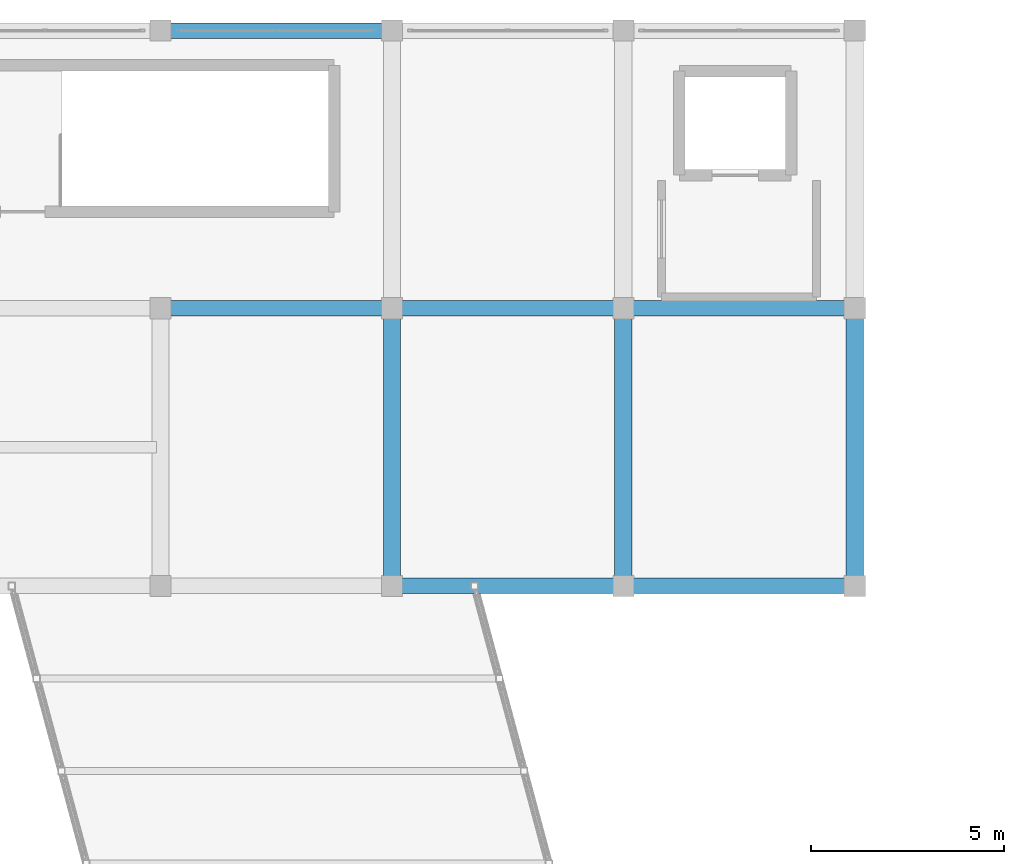
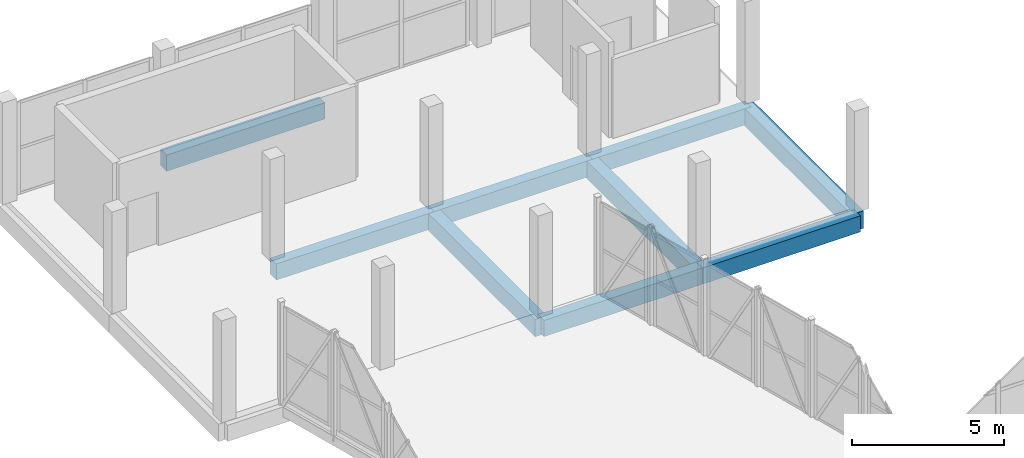
# One storey, part 54 of 127: 9 beams.
"""IFC4 building model written with IfcOpenShell, lengths in metres."""

from ifc_helpers import new_model, si_unit, direction, frame, origin, origin_2d, place, context, subcontext, project, spatial, rectangle, extrude, material, material_profile, profile_set, type_object, element, save


model = new_model("IFC4")

# Units and contexts
model_context = context("Model", 3, precision=1e-05, world=origin(), true_north=direction((0.0, 1.0)))
body_context = subcontext(model_context, "Body", "Model", "MODEL_VIEW")
ifc_project = project(units=[si_unit("LENGTHUNIT", "METRE"), si_unit("AREAUNIT", "SQUARE_METRE"), si_unit("VOLUMEUNIT", "CUBIC_METRE"), si_unit("PLANEANGLEUNIT", "RADIAN"), si_unit("MASSUNIT", "GRAM", prefix="KILO")], contexts=[model_context])

# Site, building, storey
site_placement = place(None, origin())
site = spatial("IfcSite", under=ifc_project, at=site_placement, CompositionType="ELEMENT")
building_placement = place(site_placement, origin())
building = spatial("IfcBuilding", under=site, at=building_placement, Name="Dunvalen Ferry Terminal", CompositionType="ELEMENT")
storey_placement = place(building_placement, frame((0.0, 0.0, 5.760009765625)))
storey = spatial("IfcBuildingStorey", under=building, at=storey_placement, Name="L01", CompositionType="ELEMENT", Elevation=5.760009765625)

# Beams
ifc_material = material(Name="Concrete C40/50", Category="concrete")
ifc_material_profile_1 = material_profile(ifc_material, rectangle(XDim=0.39990234375, YDim=0.64990234375, at=origin_2d()), Name="Concrete C40/50")
ifc_profile_set_1 = profile_set([ifc_material_profile_1], Name="Concrete C40/50")
beam_type_1 = type_object("IfcBeamType", Name="STR-BM-RCB650", PredefinedType="BEAM", material=ifc_profile_set_1)
for number, where, z_axis, x_axis, name in (
    (1, (36.0, 100.800048828125, -0.56494140625), (1.0, 0.0, 0.0), (0.0, 1.0, 0.0), "L01 V3B1 Primary Beam X-003"),
    (2, (42.0, 100.800048828125, -0.56494140625), (1.0, 0.0, 0.0), (0.0, 1.0, 0.0), "L01 V3B1 Primary Beam X-004"),
    (3, (30.0, 108.0, -0.56494140625), (1.0, 0.0, 0.0), (0.0, 1.0, 0.0), "L01 V3B1 Primary Beam X-006"),
    (4, (36.0, 108.0, -0.56494140625), (1.0, 0.0, 0.0), (0.0, 1.0, 0.0), "L01 V3B1 Primary Beam X-007"),
    (5, (42.0, 108.0, -0.56494140625), (1.0, 0.0, 0.0), (0.0, 1.0, 0.0), "L01 V3B1 Primary Beam X-008"),
    (6, (30.0, 115.199951171875, -0.56494140625), (1.0, 0.0, 0.0), (0.0, 1.0, 0.0), "L01 V3B1 Primary Beam X-010"),
):
    element("IfcBeam", number, at=place(storey_placement, frame(where, z_axis=z_axis, x_axis=x_axis)), inside=storey, type_object=beam_type_1, Name=name, PredefinedType="BEAM", context=body_context, shape_type="SweptSolid", body=[
        extrude(rectangle(XDim=0.39990234375, YDim=0.64990234375, at=origin_2d()), origin(), (0.0, 0.0, 1.0), 6.0),
    ])
ifc_material_profile_2 = material_profile(ifc_material, rectangle(XDim=0.449951171875, YDim=0.699951171875, at=origin_2d()), Name="Concrete C40/50")
ifc_profile_set_2 = profile_set([ifc_material_profile_2], Name="Concrete C40/50")
beam_type_2 = type_object("IfcBeamType", Name="STR-BM-RCB700", PredefinedType="BEAM", material=ifc_profile_set_2)
for number, where, z_axis, x_axis, name in (
    (7, (36.0, 100.800048828125, -0.590087890625), (0.0, 1.0, 0.0), (-1.0, 0.0, 0.0), "L01 V3B1 Primary Girder Y-016"),
    (8, (42.0, 100.800048828125, -0.590087890625), (0.0, 1.0, 0.0), (-1.0, 0.0, 0.0), "L01 V3B1 Primary Girder Y-018"),
    (9, (48.0, 100.800048828125, -0.590087890625), (0.0, 1.0, 0.0), (-1.0, 0.0, 0.0), "L01 V3B1 Primary Girder Y-020"),
):
    element("IfcBeam", number, at=place(storey_placement, frame(where, z_axis=z_axis, x_axis=x_axis)), inside=storey, type_object=beam_type_2, Name=name, PredefinedType="BEAM", context=body_context, shape_type="SweptSolid", body=[
        extrude(rectangle(XDim=0.449951171875, YDim=0.699951171875, at=origin_2d()), origin(), (0.0, 0.0, 1.0), 7.199951171875),
    ])

save(model, "model.ifc")
